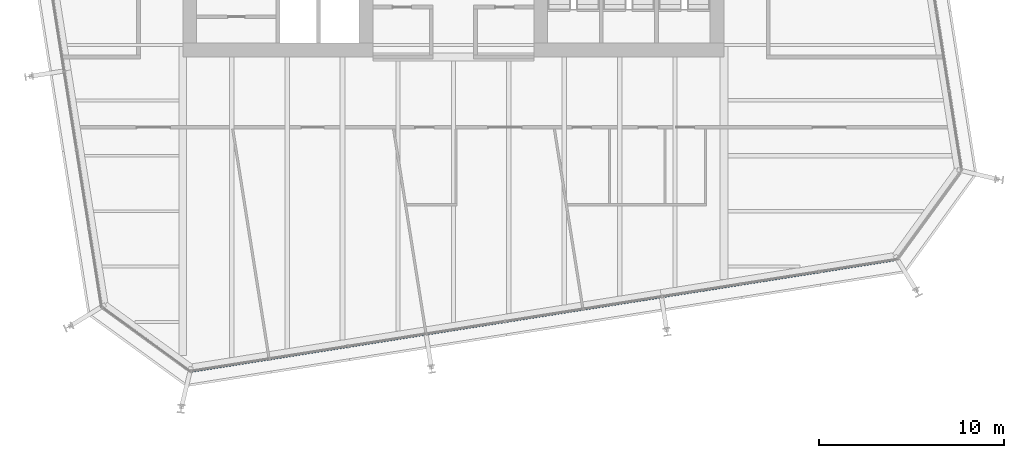
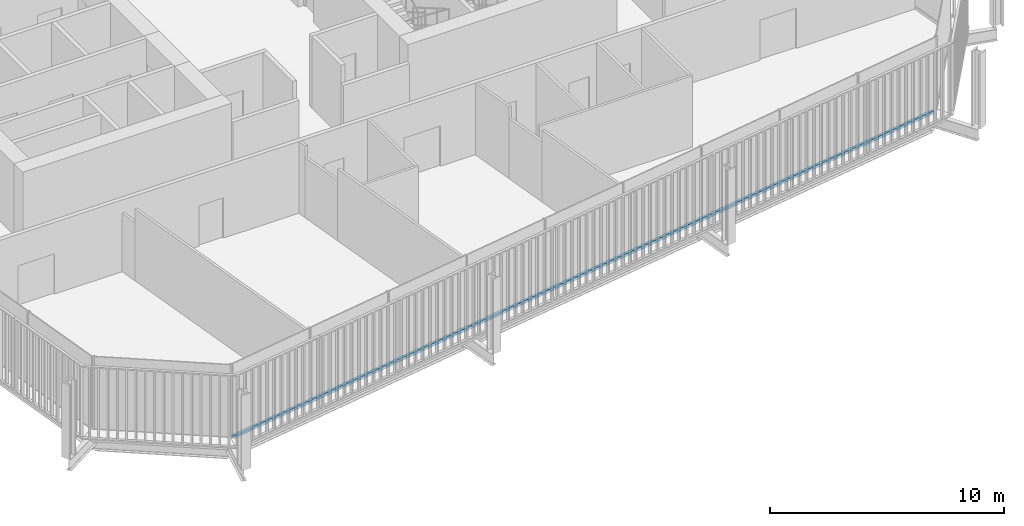
# One storey, part 7 of 21: 1 member, 1 element without a shape of its own.
"""IFC4 building model written with IfcOpenShell, lengths in metres."""

import ifcopenshell
import ifcopenshell.guid

model = None  # the IFC model being written
_history = None  # IfcOwnerHistory: only IFC2X3 demands one
_inside = {}  # id of a spatial element -> (the spatial element, [elements in it])
_under = {}  # id of a project, library or spatial element -> (it, [spatial elements below it])
_declared = {}  # id of a project -> (the project, [libraries it declares])
_typed = {}  # id of a type object -> (the type object, [elements of that type])
_made_of = {}  # id of a material, layer set ... -> (it, [elements and type objects made of it])


def new_model(schema):
    """Start an empty IFC model of exactly this schema.

    Asked for "IFC4X3", IfcOpenShell would pick the latest addendum, in which some entities
    have other attributes; the version numbers below select the first issue.
    IFC2X3 requires an IfcOwnerHistory on every rooted entity: one is made here for all.
    """
    global model, _history
    if schema == "IFC4X3":
        model = ifcopenshell.file(schema_version=(4, 3, 0, 0))
    else:
        model = ifcopenshell.file(schema=schema)
    _inside.clear()
    _under.clear()
    _declared.clear()
    _typed.clear()
    _made_of.clear()
    _history = None
    if model.schema == "IFC2X3":
        org = make("IfcOrganization", Name="unknown")
        user = make(
            "IfcPersonAndOrganization",
            ThePerson=make("IfcPerson", FamilyName="unknown"),
            TheOrganization=org,
        )
        app = make(
            "IfcApplication",
            ApplicationDeveloper=org,
            Version="unknown",
            ApplicationFullName="unknown",
            ApplicationIdentifier="unknown",
        )
        _history = make(
            "IfcOwnerHistory",
            OwningUser=user,
            OwningApplication=app,
            ChangeAction="ADDED",
            CreationDate=0,
        )
    return model


def make(cls, **values):
    """One entity of the class cls with the attributes given. An attribute that is None is left unset."""
    return model.create_entity(
        cls, **{name: value for name, value in values.items() if value is not None}
    )


def rooted(cls, **values):
    """An entity with a GlobalId (a new one), such as an element, a storey or a relation."""
    return make(cls, GlobalId=ifcopenshell.guid.new(), OwnerHistory=_history, **values)


def si_unit(unit_type, name, prefix=None):
    """IfcSIUnit, for example si_unit("LENGTHUNIT", "METRE", prefix="MILLI")."""
    return make("IfcSIUnit", UnitType=unit_type, Prefix=prefix, Name=name)


def assignment(units):
    """IfcUnitAssignment: the units of a project."""
    return None if units is None else make("IfcUnitAssignment", Units=units)


def point(xyz):
    """IfcCartesianPoint."""
    return None if xyz is None else make("IfcCartesianPoint", Coordinates=xyz)


def direction(xyz):
    """IfcDirection."""
    return None if xyz is None else make("IfcDirection", DirectionRatios=xyz)


def frame(location, z_axis=None, x_axis=None):
    """IfcAxis2Placement3D, a coordinate frame: its origin and axes. An axis left out is left unset."""
    return make(
        "IfcAxis2Placement3D",
        Location=point(location),
        Axis=direction(z_axis),
        RefDirection=direction(x_axis),
    )


def frame_2d(location, x_axis=None):
    """IfcAxis2Placement2D, a coordinate frame in the plane: its origin and x axis."""
    return make(
        "IfcAxis2Placement2D", Location=point(location), RefDirection=direction(x_axis)
    )


def origin():
    """The frame at (0, 0, 0) with its axes left unset."""
    return frame((0.0, 0.0, 0.0))


def origin_2d():
    """The frame at (0, 0) in the plane with its x axis left unset."""
    return frame_2d((0.0, 0.0))


def place(relative_to, where):
    """IfcLocalPlacement: puts the frame where relative to a parent placement (None: the world)."""
    return make(
        "IfcLocalPlacement", PlacementRelTo=relative_to, RelativePlacement=where
    )


def context(
    kind, dimensions, precision=None, world=None, true_north=None, identifier=None
):
    """IfcGeometricRepresentationContext, for example the 3D "Model" context."""
    return make(
        "IfcGeometricRepresentationContext",
        ContextIdentifier=identifier,
        ContextType=kind,
        CoordinateSpaceDimension=dimensions,
        Precision=precision,
        WorldCoordinateSystem=world,
        TrueNorth=true_north,
    )


def subcontext(parent, identifier, kind, view, scale=None):
    """IfcGeometricRepresentationSubContext, for example "Body" below "Model"."""
    return make(
        "IfcGeometricRepresentationSubContext",
        ContextIdentifier=identifier,
        ContextType=kind,
        ParentContext=parent,
        TargetScale=scale,
        TargetView=view,
    )


def project(units=None, contexts=None):
    """IfcProject with its units and contexts."""
    return rooted(
        "IfcProject",
        Name="project",
        RepresentationContexts=contexts,
        UnitsInContext=assignment(units),
    )


def spatial(cls, under=None, at=None, **own):
    """A site, building, storey or space (cls), placed at a placement, below another one or the project."""
    s = rooted(cls, ObjectPlacement=at, **own)
    if under is not None:
        _under.setdefault(under.id(), (under, []))[1].append(s)
    return s


def profile(cls, at=None, kind="AREA", **sizes):
    """A parametric profile (cls). Its sizes go by their IFC names, for example OverallWidth=200.0."""
    return make(cls, ProfileType=kind, Position=at, **sizes)


def rectangle(**sizes):
    """IfcRectangleProfileDef."""
    return profile("IfcRectangleProfileDef", **sizes)


def extrude(swept, where, along, depth):
    """IfcExtrudedAreaSolid: the profile swept, set in the frame where, extruded along a direction by depth."""
    return make(
        "IfcExtrudedAreaSolid",
        SweptArea=swept,
        Position=where,
        ExtrudedDirection=direction(along),
        Depth=depth,
    )


def shape(context_of_items, identifier, shape_type, items):
    """IfcShapeRepresentation: the items that make up one representation, for example the "Body"."""
    return make(
        "IfcShapeRepresentation",
        ContextOfItems=context_of_items,
        RepresentationIdentifier=identifier,
        RepresentationType=shape_type,
        Items=items,
    )


def material(Name=None, Category=None):
    """IfcMaterial."""
    return make("IfcMaterial", Name=Name, Category=Category)


def layer(
    of_material, thickness, ventilated=None, Name=None, Category=None, Priority=None
):
    """IfcMaterialLayer: one layer of a wall or slab, of a material (None: an air gap)."""
    return make(
        "IfcMaterialLayer",
        Material=of_material,
        LayerThickness=thickness,
        IsVentilated=ventilated,
        Name=Name,
        Category=Category,
        Priority=Priority,
    )


def layer_set(layers, Name=None):
    """IfcMaterialLayerSet."""
    return make("IfcMaterialLayerSet", MaterialLayers=layers, LayerSetName=Name)


def material_profile(
    of_material, cross_section, Name=None, Category=None, Priority=None
):
    """IfcMaterialProfile: a cross section and its material."""
    return make(
        "IfcMaterialProfile",
        Name=Name,
        Material=of_material,
        Profile=cross_section,
        Priority=Priority,
        Category=Category,
    )


def profile_set(profiles, Name=None, composite=None):
    """IfcMaterialProfileSet."""
    return make(
        "IfcMaterialProfileSet",
        Name=Name,
        MaterialProfiles=profiles,
        CompositeProfile=composite,
    )


def made_of(thing, what):
    """Note that an element or type object is made of a material, layer set ...; save() writes the relation."""
    if what is not None:
        _made_of.setdefault(what.id(), (what, []))[1].append(thing)
    return thing


def type_object(cls, material=None, **own):
    """A type object (cls), such as IfcWallType, which elements share."""
    return made_of(rooted(cls, **own), material)


def element(
    cls,
    number,
    at=None,
    inside=None,
    cuts=None,
    type_object=None,
    material=None,
    context=None,
    identifier="Body",
    shape_type=None,
    held_by="IfcProductDefinitionShape",
    body=None,
    shapes=None,
    **own,
):
    """One element of the class cls, such as IfcWall. Its Tag is "e" and its number.

    at: its placement. inside: the storey or other place that contains it. cuts: it is an
    opening in that element (IfcRelVoidsElement). A single representation is given by context,
    identifier, shape_type and body (its items); several are given by shapes. held_by: the class
    of the entity that holds the representations. save() writes the other relations.
    """
    e = rooted(cls, Tag="e%d" % number, ObjectPlacement=at, **own)
    if body is not None:
        shapes = [shape(context, identifier, shape_type, body)]
    if shapes is not None:
        e.Representation = make(held_by, Representations=shapes)
    if inside is not None:
        _inside.setdefault(inside.id(), (inside, []))[1].append(e)
    if cuts is not None:
        rooted(
            "IfcRelVoidsElement", RelatingBuildingElement=cuts, RelatedOpeningElement=e
        )
    if type_object is not None:
        _typed.setdefault(type_object.id(), (type_object, []))[1].append(e)
    return made_of(e, material)


def aggregate(whole, parts):
    """IfcRelAggregates: a whole, such as a stair, and the parts it consists of."""
    return rooted("IfcRelAggregates", RelatingObject=whole, RelatedObjects=parts)


def save(model, path):
    """Write the relations noted so far, then the file.

    IfcRelAggregates (storeys below a building ...), IfcRelContainedInSpatialStructure (elements
    in a storey), IfcRelDefinesByType, IfcRelAssociatesMaterial and IfcRelDeclares: one each for
    every whole, place, type object, material and project.
    """
    for whole, parts in _under.values():
        aggregate(whole, parts)
    for where, things in _inside.values():
        rooted(
            "IfcRelContainedInSpatialStructure",
            RelatedElements=things,
            RelatingStructure=where,
        )
    for kind, things in _typed.values():
        rooted("IfcRelDefinesByType", RelatedObjects=things, RelatingType=kind)
    for what, things in _made_of.values():
        rooted("IfcRelAssociatesMaterial", RelatedObjects=things, RelatingMaterial=what)
    for by, libraries in _declared.values():
        rooted("IfcRelDeclares", RelatingContext=by, RelatedDefinitions=libraries)
    model.write(path)


model = new_model("IFC4")

# Units and contexts
model_context = context("Model", 3, precision=1e-05, world=origin(), true_north=direction((0.0, 1.0)))
body_context = subcontext(model_context, "Body", "Model", "MODEL_VIEW")
ifc_project = project(units=[si_unit("LENGTHUNIT", "METRE"), si_unit("AREAUNIT", "SQUARE_METRE"), si_unit("VOLUMEUNIT", "CUBIC_METRE"), si_unit("PLANEANGLEUNIT", "RADIAN"), si_unit("MASSUNIT", "GRAM", prefix="KILO")], contexts=[model_context])

# Site, building, storey
site_placement = place(None, origin())
site = spatial("IfcSite", under=ifc_project, at=site_placement, CompositionType="ELEMENT")
building_placement = place(site_placement, origin())
building = spatial("IfcBuilding", under=site, at=building_placement, Name="Millrace Tower", CompositionType="ELEMENT")
storey_placement = place(building_placement, frame((0.0, 0.0, 149.0)))
storey = spatial("IfcBuildingStorey", under=building, at=storey_placement, Name="L33", CompositionType="ELEMENT", Elevation=149.0)

# Curtain wall, member
ifc_material_1 = material(Name="Aluminium and glass", Category="aluminium")
ifc_layer = layer(ifc_material_1, 0.14990234375)
ifc_layer_set = layer_set([ifc_layer], Name="Aluminium and glass")
curtain_wall_type = type_object("IfcCurtainWallType", Name="CW-1 office vision curtain wall", PredefinedType="NOTDEFINED", material=ifc_layer_set)
curtain_wall_placement = place(storey_placement, origin())
curtain_wall = element("IfcCurtainWall", 1, at=curtain_wall_placement, inside=storey, type_object=curtain_wall_type, Name="Curtain wall C-F02 L33", PredefinedType="NOTDEFINED")
ifc_material_2 = material(Name="Aluminium", Category="aluminium")
ifc_material_profile = material_profile(ifc_material_2, rectangle(XDim=0.14990234375, YDim=0.139892578125, at=origin_2d()))
ifc_profile_set = profile_set([ifc_material_profile], Name="Aluminium")
member_type = type_object("IfcMemberType", Name="CW-1 office vision curtain wall transom", PredefinedType="USERDEFINED", material=ifc_profile_set)
member_placement = place(storey_placement, frame((-14.125, -26.64599609375, 0.070068359375), z_axis=(0.987688350509, 0.156434402447, 0.0), x_axis=(-0.156434402447, 0.987688350509, 0.0)))
member = element("IfcMember", 2, at=member_placement, type_object=member_type, Name="CW1 transom C-F02.1", ObjectType="TRANSOM", PredefinedType="USERDEFINED", context=body_context, shape_type="SweptSolid", body=[
    extrude(rectangle(XDim=0.14990234375, YDim=0.139892578125, at=origin_2d()), origin(), (0.0, 0.0, 1.0), 38.499755859375),
])
aggregate(curtain_wall, [member])

save(model, "model.ifc")
